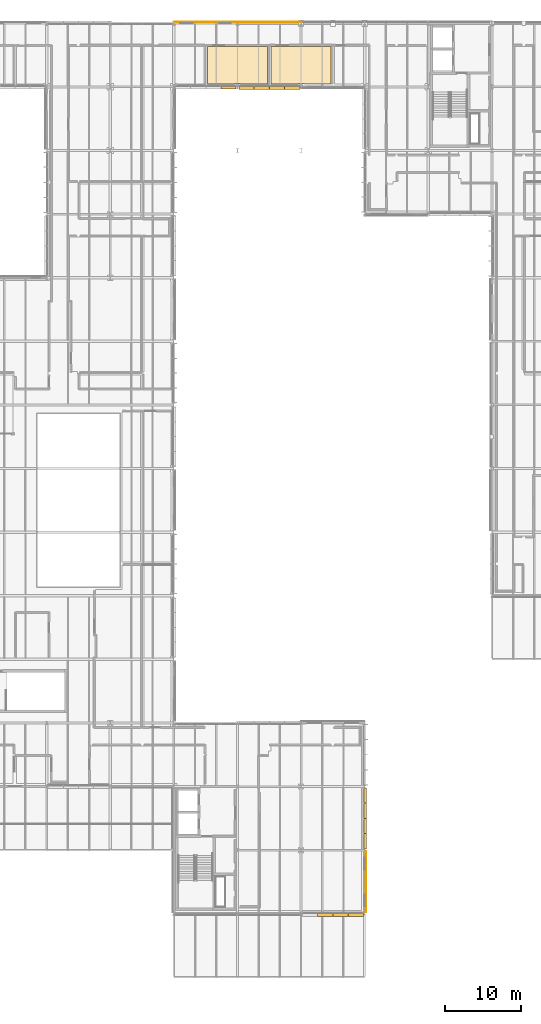
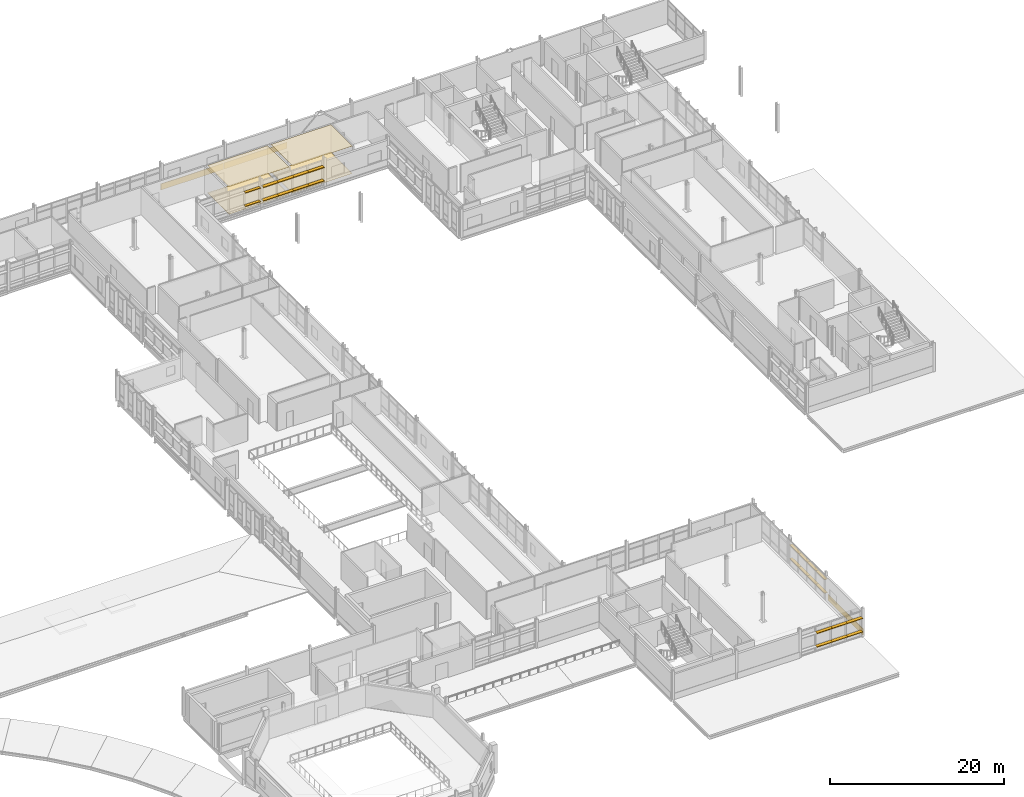
# One storey, part 145 of 151: 24 shading devices, 7 coverings.
"""IFC4 building model written with IfcOpenShell, lengths in metres."""

from ifc_helpers import new_model, si_unit, direction, frame, origin, origin_2d, place, context, subcontext, project, spatial, polyline, rectangle, outline, extrude, material, layer, layer_set, type_object, element, save


model = new_model("IFC4")

# Units and contexts
model_context = context("Model", 3, precision=1e-05, world=origin(), true_north=direction((0.0, 1.0)))
body_context = subcontext(model_context, "Body", "Model", "MODEL_VIEW")
ifc_project = project(units=[si_unit("LENGTHUNIT", "METRE"), si_unit("AREAUNIT", "SQUARE_METRE"), si_unit("VOLUMEUNIT", "CUBIC_METRE"), si_unit("PLANEANGLEUNIT", "RADIAN"), si_unit("MASSUNIT", "GRAM", prefix="KILO")], contexts=[model_context])

# Site, building, storey
site_placement = place(None, origin())
site = spatial("IfcSite", under=ifc_project, at=site_placement, CompositionType="ELEMENT")
building_placement = place(site_placement, origin())
building = spatial("IfcBuilding", under=site, at=building_placement, Name="Mersafa Astral City Hall", CompositionType="ELEMENT")
storey_placement = place(building_placement, frame((0.0, 0.0, 9.89990234375)))
storey = spatial("IfcBuildingStorey", under=building, at=storey_placement, Name="L02", CompositionType="ELEMENT", Elevation=9.89990234375)

# Coverings
ifc_material_1 = material(Name="Cairo Mokattam buff limestone cladding", Category="masonry")
ifc_layer_1 = layer(ifc_material_1, 0.06005859375, Name="Cairo Mokattam buff limestone cladding")
ifc_layer_set_1 = layer_set([ifc_layer_1], Name="Cairo Mokattam buff limestone cladding — ENV-COV-LIMESTONE-60")
covering_type_1 = type_object("IfcCoveringType", Name="ENV-COV-LIMESTONE-60", PredefinedType="CLADDING", material=ifc_layer_set_1)
covering_1_placement = place(storey_placement, frame((142.969482421875, 12.60009765625, 0.0), z_axis=(0.0, 0.0, 1.0), x_axis=(0.0, 1.0, 0.0)))
element("IfcCovering", 1, at=covering_1_placement, inside=storey, type_object=covering_type_1, Name="L02 Cairo buff limestone rainscreen cladding 156", PredefinedType="CLADDING", context=body_context, shape_type="SweptSolid", body=[
    extrude(rectangle(XDim=8.048095703125, YDim=0.06005859375, at=origin_2d()), origin(), (0.0, 0.0, 1.0), 0.860107421875),
])
for number, where, z_axis, x_axis, name in (
    (2, (130.199951171875, 126.154541015625, 0.0), (0.0, 0.0, 1.0), (-1.0, 0.0, 0.0), "L02 Cairo buff limestone rainscreen cladding 182"),
    (3, (121.800048828125, 126.14697265625, 0.0), (0.0, 0.0, 1.0), (-1.0, 0.0, 0.0), "L02 Cairo buff limestone rainscreen cladding 183"),
):
    element("IfcCovering", number, at=place(storey_placement, frame(where, z_axis=z_axis, x_axis=x_axis)), inside=storey, type_object=covering_type_1, Name=name, PredefinedType="CLADDING", context=body_context, shape_type="SweptSolid", body=[
        extrude(rectangle(XDim=8.323974609375, YDim=0.06005859375, at=origin_2d()), origin(), (0.0, 0.0, 1.0), 0.860107421875),
    ])

# Shading devices
ifc_material_2 = material(Name="Kiln-dried cedar timber brise-soleil blade", Category="wood")
shading_device_type_1 = type_object("IfcShadingDeviceType", Name="ENV-SHD-LOUVRE-380", PredefinedType="JALOUSIE", material=ifc_material_2)
shading_device_1_placement = place(storey_placement, frame((142.8798828125, 17.986572265625, 0.81494140625), z_axis=(0.0, 0.0, 1.0), x_axis=(0.0, 1.0, 0.0)))
element("IfcShadingDevice", 4, at=shading_device_1_placement, inside=storey, type_object=shading_device_type_1, Name="L02 Horizontal cedar brise-soleil louvre 682", PredefinedType="JALOUSIE", context=body_context, shape_type="SweptSolid", body=[
    extrude(rectangle(XDim=2.029052734375, YDim=0.3798828125, at=origin_2d()), origin(), (0.0, 0.0, 1.0), 0.070068359375),
])
for number, where, z_axis, x_axis, name in (
    (5, (142.8798828125, 19.990478515625, 0.81494140625), (0.0, 0.0, 1.0), (0.0, 1.0, 0.0), "L02 Horizontal cedar brise-soleil louvre 683"),
    (6, (142.8798828125, 22.009521484375, 0.81494140625), (0.0, 0.0, 1.0), (0.0, 1.0, 0.0), "L02 Horizontal cedar brise-soleil louvre 684"),
):
    element("IfcShadingDevice", number, at=place(storey_placement, frame(where, z_axis=z_axis, x_axis=x_axis)), inside=storey, type_object=shading_device_type_1, Name=name, PredefinedType="JALOUSIE", context=body_context, shape_type="SweptSolid", body=[
        extrude(rectangle(XDim=2.05908203125, YDim=0.3798828125, at=origin_2d()), origin(), (0.0, 0.0, 1.0), 0.070068359375),
    ])
for number, where, z_axis, x_axis, name in (
    (7, (142.8798828125, 24.013427734375, 0.81494140625), (0.0, 0.0, 1.0), (0.0, 1.0, 0.0), "L02 Horizontal cedar brise-soleil louvre 685"),
    (8, (142.8798828125, 17.986572265625, 2.71484375), (0.0, 0.0, 1.0), (0.0, 1.0, 0.0), "L02 Horizontal cedar brise-soleil louvre 686"),
):
    element("IfcShadingDevice", number, at=place(storey_placement, frame(where, z_axis=z_axis, x_axis=x_axis)), inside=storey, type_object=shading_device_type_1, Name=name, PredefinedType="JALOUSIE", context=body_context, shape_type="SweptSolid", body=[
        extrude(rectangle(XDim=2.029052734375, YDim=0.3798828125, at=origin_2d()), origin(), (0.0, 0.0, 1.0), 0.070068359375),
    ])
for number, where, z_axis, x_axis, name in (
    (9, (142.8798828125, 19.990478515625, 2.71484375), (0.0, 0.0, 1.0), (0.0, 1.0, 0.0), "L02 Horizontal cedar brise-soleil louvre 687"),
    (10, (142.8798828125, 22.009521484375, 2.71484375), (0.0, 0.0, 1.0), (0.0, 1.0, 0.0), "L02 Horizontal cedar brise-soleil louvre 688"),
):
    element("IfcShadingDevice", number, at=place(storey_placement, frame(where, z_axis=z_axis, x_axis=x_axis)), inside=storey, type_object=shading_device_type_1, Name=name, PredefinedType="JALOUSIE", context=body_context, shape_type="SweptSolid", body=[
        extrude(rectangle(XDim=2.05908203125, YDim=0.3798828125, at=origin_2d()), origin(), (0.0, 0.0, 1.0), 0.070068359375),
    ])
for number, where, z_axis, x_axis, name in (
    (11, (142.8798828125, 24.013427734375, 2.71484375), (0.0, 0.0, 1.0), (0.0, 1.0, 0.0), "L02 Horizontal cedar brise-soleil louvre 689"),
    (12, (124.8134765625, 117.52001953125, 0.81494140625), (0.0, 0.0, 1.0), (1.0, 0.0, 0.0), "L02 Horizontal cedar brise-soleil louvre 745"),
    (13, (124.8134765625, 117.52001953125, 2.71484375), (0.0, 0.0, 1.0), (1.0, 0.0, 0.0), "L02 Horizontal cedar brise-soleil louvre 749"),
):
    element("IfcShadingDevice", number, at=place(storey_placement, frame(where, z_axis=z_axis, x_axis=x_axis)), inside=storey, type_object=shading_device_type_1, Name=name, PredefinedType="JALOUSIE", context=body_context, shape_type="SweptSolid", body=[
        extrude(rectangle(XDim=2.029052734375, YDim=0.3798828125, at=origin_2d()), origin(), (0.0, 0.0, 1.0), 0.070068359375),
    ])
shading_device_type_2 = type_object("IfcShadingDeviceType", Name="ENV-SHD-LOUVRE-450", PredefinedType="JALOUSIE", material=ifc_material_2)
for number, where, z_axis, x_axis, name in (
    (14, (137.590576171875, 8.284912109375, 0.81005859375), (0.0, 0.0, 1.0), (1.0, 0.0, 0.0), "L02 Horizontal cedar brise-soleil louvre 675"),
    (15, (139.609619140625, 8.284912109375, 0.81005859375), (0.0, 0.0, 1.0), (1.0, 0.0, 0.0), "L02 Horizontal cedar brise-soleil louvre 676"),
):
    element("IfcShadingDevice", number, at=place(storey_placement, frame(where, z_axis=z_axis, x_axis=x_axis)), inside=storey, type_object=shading_device_type_2, Name=name, PredefinedType="JALOUSIE", context=body_context, shape_type="SweptSolid", body=[
        extrude(rectangle(XDim=2.05908203125, YDim=0.449951171875, at=origin_2d()), origin(), (0.0, 0.0, 1.0), 0.080078125),
    ])
shading_device_2_placement = place(storey_placement, frame((141.613525390625, 8.284912109375, 0.81005859375), z_axis=(0.0, 0.0, 1.0), x_axis=(1.0, 0.0, 0.0)))
element("IfcShadingDevice", 16, at=shading_device_2_placement, inside=storey, type_object=shading_device_type_2, Name="L02 Horizontal cedar brise-soleil louvre 677", PredefinedType="JALOUSIE", context=body_context, shape_type="SweptSolid", body=[
    extrude(rectangle(XDim=2.029052734375, YDim=0.449951171875, at=origin_2d()), origin(), (0.0, 0.0, 1.0), 0.080078125),
])
for number, where, z_axis, x_axis, name in (
    (17, (137.590576171875, 8.284912109375, 2.7099609375), (0.0, 0.0, 1.0), (1.0, 0.0, 0.0), "L02 Horizontal cedar brise-soleil louvre 679"),
    (18, (139.609619140625, 8.284912109375, 2.7099609375), (0.0, 0.0, 1.0), (1.0, 0.0, 0.0), "L02 Horizontal cedar brise-soleil louvre 680"),
):
    element("IfcShadingDevice", number, at=place(storey_placement, frame(where, z_axis=z_axis, x_axis=x_axis)), inside=storey, type_object=shading_device_type_2, Name=name, PredefinedType="JALOUSIE", context=body_context, shape_type="SweptSolid", body=[
        extrude(rectangle(XDim=2.05908203125, YDim=0.449951171875, at=origin_2d()), origin(), (0.0, 0.0, 1.0), 0.080078125),
    ])
for number, where, z_axis, x_axis, name in (
    (19, (141.613525390625, 8.284912109375, 2.7099609375), (0.0, 0.0, 1.0), (1.0, 0.0, 0.0), "L02 Horizontal cedar brise-soleil louvre 681"),
    (20, (127.1865234375, 117.485107421875, 0.81005859375), (0.0, 0.0, 1.0), (1.0, 0.0, 0.0), "L02 Horizontal cedar brise-soleil louvre 750"),
):
    element("IfcShadingDevice", number, at=place(storey_placement, frame(where, z_axis=z_axis, x_axis=x_axis)), inside=storey, type_object=shading_device_type_2, Name=name, PredefinedType="JALOUSIE", context=body_context, shape_type="SweptSolid", body=[
        extrude(rectangle(XDim=2.029052734375, YDim=0.449951171875, at=origin_2d()), origin(), (0.0, 0.0, 1.0), 0.080078125),
    ])
for number, where, z_axis, x_axis, name in (
    (21, (129.1904296875, 117.485107421875, 0.81005859375), (0.0, 0.0, 1.0), (1.0, 0.0, 0.0), "L02 Horizontal cedar brise-soleil louvre 751"),
    (22, (131.20947265625, 117.485107421875, 0.81005859375), (0.0, 0.0, 1.0), (1.0, 0.0, 0.0), "L02 Horizontal cedar brise-soleil louvre 752"),
):
    element("IfcShadingDevice", number, at=place(storey_placement, frame(where, z_axis=z_axis, x_axis=x_axis)), inside=storey, type_object=shading_device_type_2, Name=name, PredefinedType="JALOUSIE", context=body_context, shape_type="SweptSolid", body=[
        extrude(rectangle(XDim=2.05908203125, YDim=0.449951171875, at=origin_2d()), origin(), (0.0, 0.0, 1.0), 0.080078125),
    ])
for number, where, z_axis, x_axis, name in (
    (23, (133.21337890625, 117.485107421875, 0.81005859375), (0.0, 0.0, 1.0), (1.0, 0.0, 0.0), "L02 Horizontal cedar brise-soleil louvre 753"),
    (24, (127.1865234375, 117.485107421875, 2.7099609375), (0.0, 0.0, 1.0), (1.0, 0.0, 0.0), "L02 Horizontal cedar brise-soleil louvre 754"),
):
    element("IfcShadingDevice", number, at=place(storey_placement, frame(where, z_axis=z_axis, x_axis=x_axis)), inside=storey, type_object=shading_device_type_2, Name=name, PredefinedType="JALOUSIE", context=body_context, shape_type="SweptSolid", body=[
        extrude(rectangle(XDim=2.029052734375, YDim=0.449951171875, at=origin_2d()), origin(), (0.0, 0.0, 1.0), 0.080078125),
    ])
for number, where, z_axis, x_axis, name in (
    (25, (129.1904296875, 117.485107421875, 2.7099609375), (0.0, 0.0, 1.0), (1.0, 0.0, 0.0), "L02 Horizontal cedar brise-soleil louvre 755"),
    (26, (131.20947265625, 117.485107421875, 2.7099609375), (0.0, 0.0, 1.0), (1.0, 0.0, 0.0), "L02 Horizontal cedar brise-soleil louvre 756"),
):
    element("IfcShadingDevice", number, at=place(storey_placement, frame(where, z_axis=z_axis, x_axis=x_axis)), inside=storey, type_object=shading_device_type_2, Name=name, PredefinedType="JALOUSIE", context=body_context, shape_type="SweptSolid", body=[
        extrude(rectangle(XDim=2.05908203125, YDim=0.449951171875, at=origin_2d()), origin(), (0.0, 0.0, 1.0), 0.080078125),
    ])
shading_device_3_placement = place(storey_placement, frame((133.21337890625, 117.485107421875, 2.7099609375), z_axis=(0.0, 0.0, 1.0), x_axis=(1.0, 0.0, 0.0)))
element("IfcShadingDevice", 27, at=shading_device_3_placement, inside=storey, type_object=shading_device_type_2, Name="L02 Horizontal cedar brise-soleil louvre 757", PredefinedType="JALOUSIE", context=body_context, shape_type="SweptSolid", body=[
    extrude(rectangle(XDim=2.029052734375, YDim=0.449951171875, at=origin_2d()), origin(), (0.0, 0.0, 1.0), 0.080078125),
])

# Coverings
ifc_material_3 = material(Name="Perforated acoustic gypsum board ceiling", Category="gypsum")
ifc_layer_2 = layer(ifc_material_3, 0.02490234375, Name="Perforated acoustic gypsum board ceiling")
ifc_layer_set_2 = layer_set([ifc_layer_2], Name="Perforated acoustic gypsum board ceiling — INT-COV-CEIL-25")
covering_type_2 = type_object("IfcCoveringType", Name="INT-COV-CEIL-25", PredefinedType="CEILING", material=ifc_layer_set_2)
covering_2_placement = place(storey_placement, frame((0.0, 0.0, 3.8310546875)))
element("IfcCovering", 28, at=covering_2_placement, inside=storey, type_object=covering_type_2, Name="L02 Standing Committee Room L02-21 acoustic ceiling", PredefinedType="CEILING", context=body_context, shape_type="SweptSolid", body=[
    extrude(outline(polyline([(122.030029296875, 118.0), (122.030029296875, 122.9599609375), (129.969970703125, 122.9599609375), (129.969970703125, 118.0), (126.419921875, 118.0), (126.419921875, 118.02001953125), (125.580078125, 118.02001953125), (125.580078125, 118.0), (122.030029296875, 118.0)])), origin(), (0.0, 0.0, 1.0), 0.025146484375),
])
covering_3_placement = place(storey_placement, frame((0.0, 0.0, 3.8310546875)))
element("IfcCovering", 29, at=covering_3_placement, inside=storey, type_object=covering_type_2, Name="L02 Hearing Room L02-22 acoustic ceiling", PredefinedType="CEILING", context=body_context, shape_type="SweptSolid", body=[
    extrude(outline(polyline([(130.429931640625, 118.0), (130.429931640625, 122.9599609375), (138.3701171875, 122.9599609375), (138.3701171875, 118.0), (134.820068359375, 118.0), (134.820068359375, 118.02001953125), (133.97998046875, 118.02001953125), (133.97998046875, 118.0), (130.429931640625, 118.0)])), origin(), (0.0, 0.0, 1.0), 0.025146484375),
])
ifc_material_4 = material(Name="Heavy-duty woven acoustic carpet tile", Category="finish")
ifc_layer_3 = layer(ifc_material_4, 0.014892578125, Name="Heavy-duty woven acoustic carpet tile")
ifc_layer_set_3 = layer_set([ifc_layer_3], Name="Heavy-duty woven acoustic carpet tile — INT-COV-FLR-15")
covering_type_3 = type_object("IfcCoveringType", Name="INT-COV-FLR-15", PredefinedType="FLOORING", material=ifc_layer_set_3)
covering_4_placement = place(storey_placement, frame((0.0, 0.0, -0.00146484375)))
element("IfcCovering", 30, at=covering_4_placement, inside=storey, type_object=covering_type_3, Name="L02 Standing Committee Room L02-21 architectural flooring", PredefinedType="FLOORING", context=body_context, shape_type="SweptSolid", body=[
    extrude(outline(polyline([(122.030029296875, 118.0), (122.030029296875, 122.9599609375), (129.969970703125, 122.9599609375), (129.969970703125, 118.0), (126.419921875, 118.0), (126.419921875, 118.02001953125), (125.580078125, 118.02001953125), (125.580078125, 118.0), (122.030029296875, 118.0)])), origin(), (0.0, 0.0, 1.0), 0.014892578125),
])
covering_5_placement = place(storey_placement, frame((0.0, 0.0, -0.00146484375)))
element("IfcCovering", 31, at=covering_5_placement, inside=storey, type_object=covering_type_3, Name="L02 Hearing Room L02-22 architectural flooring", PredefinedType="FLOORING", context=body_context, shape_type="SweptSolid", body=[
    extrude(outline(polyline([(130.429931640625, 118.0), (130.429931640625, 122.9599609375), (138.3701171875, 122.9599609375), (138.3701171875, 118.0), (134.820068359375, 118.0), (134.820068359375, 118.02001953125), (133.97998046875, 118.02001953125), (133.97998046875, 118.0), (130.429931640625, 118.0)])), origin(), (0.0, 0.0, 1.0), 0.014892578125),
])

save(model, "model.ifc")
